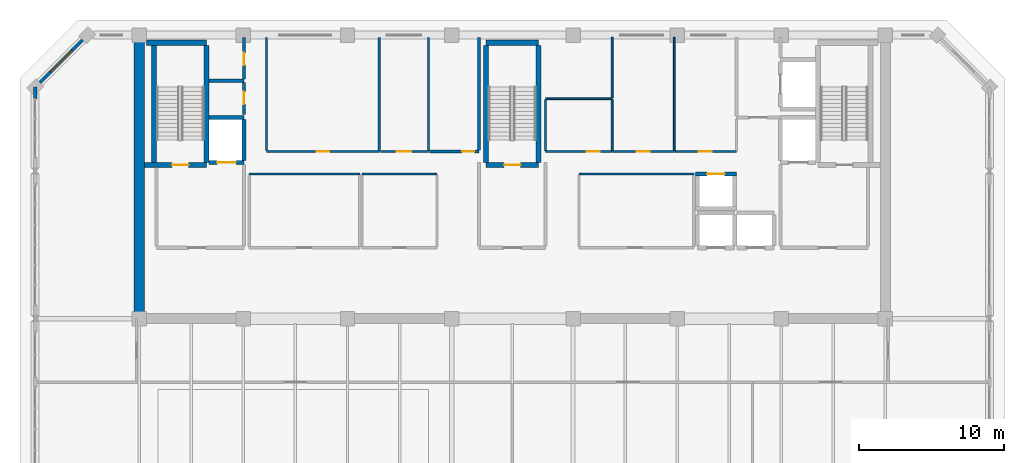
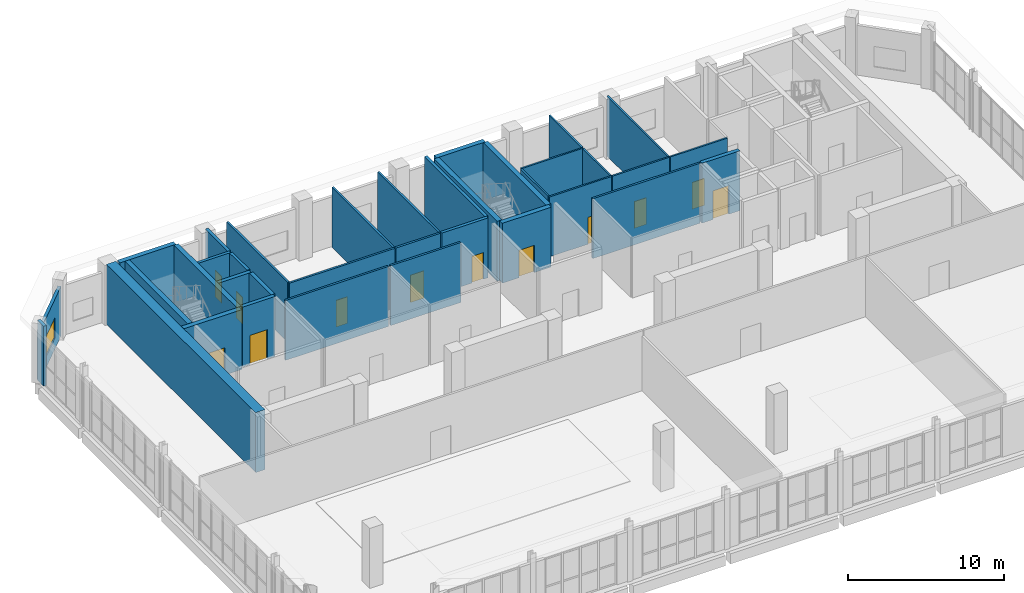
# One storey, part 31 of 36: 36 walls, 12 doors, 1 window, 13 openings.
"""IFC4 building model written with IfcOpenShell, lengths in metres."""

from ifc_helpers import new_model, si_unit, direction, frame, frame_2d, origin, place, context, subcontext, project, spatial, rectangle, extrude, material, layer, layer_set, type_object, element, fill, save


model = new_model("IFC4")

# Units and contexts
model_context = context("Model", 3, precision=1e-05, world=origin(), true_north=direction((0.0, 1.0)))
body_context = subcontext(model_context, "Body", "Model", "MODEL_VIEW")
ifc_project = project(units=[si_unit("LENGTHUNIT", "METRE"), si_unit("AREAUNIT", "SQUARE_METRE"), si_unit("VOLUMEUNIT", "CUBIC_METRE"), si_unit("PLANEANGLEUNIT", "RADIAN"), si_unit("MASSUNIT", "GRAM", prefix="KILO")], contexts=[model_context])

# Site, building, storey
site_placement = place(None, origin())
site = spatial("IfcSite", under=ifc_project, at=site_placement, CompositionType="ELEMENT")
building_placement = place(site_placement, origin())
building = spatial("IfcBuilding", under=site, at=building_placement, Name="Kaelvorn Grand Hotel", CompositionType="ELEMENT")
storey_placement = place(building_placement, frame((0.0, 0.0, 305.699951171875)))
storey = spatial("IfcBuildingStorey", under=building, at=storey_placement, Name="L74", CompositionType="ELEMENT", Elevation=305.699951171875)

# Wall
ifc_material_1 = material(Name="Concrete C50/60", Category="concrete")
ifc_layer_1 = layer(ifc_material_1, 0.699951171875)
ifc_layer_set_1 = layer_set([ifc_layer_1], Name="Concrete C50/60")
wall_type_1 = type_object("IfcWallType", Name="WL-CORE-700-C50", PredefinedType="SHEAR", material=ifc_layer_set_1)
wall_1_placement = place(storey_placement, frame((16.199951171875, 29.39990234375, 0.0), z_axis=(0.0, 0.0, 1.0), x_axis=(0.0, 1.0, 0.0)))
element("IfcWall", 1, at=wall_1_placement, inside=storey, type_object=wall_type_1, Name="L74 Rear-Core West Shear Wall", PredefinedType="SHEAR", context=body_context, shape_type="SweptSolid", body=[
    extrude(rectangle(XDim=19.2001953125, YDim=0.699951171875, at=frame_2d((9.60009765625, 0.0))), origin(), (0.0, 0.0, 1.0), 4.699951171875),
])

# Wall, opening, window
ifc_material_2 = material(Name="Concrete C40/50", Category="concrete")
ifc_layer_2 = layer(ifc_material_2, 0.219970703125)
ifc_layer_set_2 = layer_set([ifc_layer_2], Name="Concrete C40/50")
wall_type_2 = type_object("IfcWallType", Name="WL-EXT-220-C40", PredefinedType="SOLIDWALL", material=ifc_layer_set_2)
wall_2_placement = place(storey_placement, frame((12.60009765625, 49.0, 0.0), z_axis=(0.0, 0.0, 1.0), x_axis=(-0.707106781187, -0.707106781187, 0.0)))
wall_2 = element("IfcWall", 2, at=wall_2_placement, inside=storey, type_object=wall_type_2, Name="L74 Exterior Architectural Concrete Wall 06", PredefinedType="SOLIDWALL", context=body_context, shape_type="SweptSolid", body=[
    extrude(rectangle(XDim=5.09130859375, YDim=0.219970703125, at=frame_2d((2.545654296875, 0.0))), origin(), (0.0, 0.0, 1.0), 3.900146484375),
])
opening_1_placement = place(wall_2_placement, frame((1.49560546875, 0.0, 0.85009765625)))
opening_1 = element("IfcOpeningElement", 3, at=opening_1_placement, cuts=wall_2, Name="Opening W7", PredefinedType="OPENING", context=body_context, shape_type="SweptSolid", body=[
    extrude(rectangle(XDim=2.10009765625, YDim=1.60009765625, at=frame_2d((1.050048828125, 0.800048828125))), frame((0.0, 0.1201171875, 0.0), z_axis=(0.0, -1.0, 0.0), x_axis=(1.0, 0.0, 0.0)), (0.0, 0.0, 1.0), 0.239990234375),
])
ifc_material_3 = material(Name="Laminated Low-E Glass", Category="glass")
window_type = type_object("IfcWindowType", Name="WIN-CHM-2100x1600", PartitioningType="SINGLE_PANEL", PredefinedType="WINDOW", material=ifc_material_3)
window_placement = place(opening_1_placement, origin())
window = element("IfcWindow", 4, at=window_placement, inside=storey, type_object=window_type, Name="L74 Chamfered 45-Degree Corner Window NW", OverallHeight=1.60009765625, OverallWidth=2.10009765625, PartitioningType="SINGLE_PANEL", PredefinedType="WINDOW", context=body_context, shape_type="SweptSolid", body=[
    extrude(rectangle(XDim=2.10009765625, YDim=1.60009765625, at=frame_2d((1.050048828125, 0.800048828125))), frame((0.0, 0.030029296875, 0.0), z_axis=(0.0, -1.0, 0.0), x_axis=(1.0, 0.0, 0.0)), (0.0, 0.0, 1.0), 0.06005859375),
])
fill(opening_1, window)

# Wall
wall_3_placement = place(storey_placement, frame((9.0, 45.39990234375, 0.0), z_axis=(0.0, 0.0, 1.0), x_axis=(0.0, -1.0, 0.0)))
element("IfcWall", 5, at=wall_3_placement, inside=storey, type_object=wall_type_2, Name="L74 Exterior Architectural Concrete Wall 07 Pier 1", PredefinedType="SOLIDWALL", context=body_context, shape_type="SweptSolid", body=[
    extrude(rectangle(XDim=0.804931640625, YDim=0.219970703125, at=frame_2d((0.40234375, 0.0))), origin(), (0.0, 0.0, 1.0), 4.699951171875),
])

# Wall, opening, door
ifc_material_4 = material(Name="Moisture-Resistant Tile & Stud Board")
ifc_layer_3 = layer(ifc_material_4, 0.125)
ifc_layer_set_3 = layer_set([ifc_layer_3], Name="Moisture-Resistant Tile & Stud Board")
wall_type_3 = type_object("IfcWallType", Name="WL-PART-125-WET", PredefinedType="PARTITIONING", material=ifc_layer_set_3)
wall_4_placement = place(storey_placement, frame((44.300048828125, 40.949951171875, 0.0), z_axis=(0.0, 0.0, 1.0), x_axis=(1.0, 0.0, 0.0)))
wall_4 = element("IfcWall", 6, at=wall_4_placement, inside=storey, type_object=wall_type_3, Name="L74 Accessible WC S Partition", PredefinedType="PARTITIONING", context=body_context, shape_type="SweptSolid", body=[
    extrude(rectangle(XDim=4.599853515625, YDim=0.125, at=frame_2d((2.2998046875, 0.0))), origin(), (0.0, 0.0, 1.0), 4.699951171875),
])
opening_2_placement = place(wall_4_placement, frame((2.85009765625, 0.0, 0.0)))
opening_2 = element("IfcOpeningElement", 7, at=opening_2_placement, cuts=wall_4, Name="Opening DI4", PredefinedType="OPENING", context=body_context, shape_type="SweptSolid", body=[
    extrude(rectangle(XDim=0.89990234375, YDim=2.10009765625, at=frame_2d((0.449951171875, 1.050048828125))), frame((0.0, 0.072509765625, 0.0), z_axis=(0.0, -1.0, 0.0), x_axis=(1.0, 0.0, 0.0)), (0.0, 0.0, 1.0), 0.14501953125),
])
ifc_material_5 = material(Name="Timber Veneer Leaf", Category="wood")
door_type_1 = type_object("IfcDoorType", Name="DR-INT-BATH-900x2100", OperationType="NOTDEFINED", PredefinedType="DOOR", material=ifc_material_5)
door_1_placement = place(opening_2_placement, origin())
door_1 = element("IfcDoor", 8, at=door_1_placement, inside=storey, type_object=door_type_1, Name="L74 Accessible WC Door", OperationType="SINGLE_SWING_LEFT", OverallHeight=2.10009765625, OverallWidth=0.89990234375, PredefinedType="DOOR", context=body_context, shape_type="SweptSolid", body=[
    extrude(rectangle(XDim=0.89990234375, YDim=2.10009765625, at=frame_2d((0.449951171875, 1.050048828125))), frame((0.0, 0.02490234375, 0.0), z_axis=(0.0, -1.0, 0.0), x_axis=(1.0, 0.0, 0.0)), (0.0, 0.0, 1.0), 0.050048828125),
])
fill(opening_2, door_1)

# Walls
wall_5_placement = place(storey_placement, frame((44.300048828125, 44.60009765625, 0.0), z_axis=(0.0, 0.0, 1.0), x_axis=(1.0, 0.0, 0.0)))
element("IfcWall", 9, at=wall_5_placement, inside=storey, type_object=wall_type_3, Name="L74 Accessible WC N Partition", PredefinedType="PARTITIONING", context=body_context, shape_type="SweptSolid", body=[
    extrude(rectangle(XDim=4.599853515625, YDim=0.125, at=frame_2d((2.2998046875, 0.0))), origin(), (0.0, 0.0, 1.0), 4.699951171875),
])
for number, where, z_axis, x_axis, name in (
    (10, (44.300048828125, 41.017578125, 0.0), (0.0, 0.0, 1.0), (0.0, 1.0, 0.0), "L74 Accessible WC W Partition"),
    (11, (48.89990234375, 41.017578125, 0.0), (0.0, 0.0, 1.0), (0.0, 1.0, 0.0), "L74 Accessible WC E Partition"),
):
    element("IfcWall", number, at=place(storey_placement, frame(where, z_axis=z_axis, x_axis=x_axis)), inside=storey, type_object=wall_type_3, Name=name, PredefinedType="PARTITIONING", context=body_context, shape_type="SweptSolid", body=[
        extrude(rectangle(XDim=3.514892578125, YDim=0.125, at=frame_2d((1.75732421875, 0.0))), origin(), (0.0, 0.0, 1.0), 4.699951171875),
    ])

# Wall, opening, door
wall_6_placement = place(storey_placement, frame((48.967529296875, 40.949951171875, 0.0), z_axis=(0.0, 0.0, 1.0), x_axis=(1.0, 0.0, 0.0)))
wall_6 = element("IfcWall", 12, at=wall_6_placement, inside=storey, type_object=wall_type_3, Name="L74 Male Public Toilets S Partition", PredefinedType="PARTITIONING", context=body_context, shape_type="SweptSolid", body=[
    extrude(rectangle(XDim=4.232421875, YDim=0.125, at=frame_2d((2.1162109375, 0.0))), origin(), (0.0, 0.0, 1.0), 4.699951171875),
])
opening_3_placement = place(wall_6_placement, frame((1.632568359375, 0.0, 0.0)))
opening_3 = element("IfcOpeningElement", 13, at=opening_3_placement, cuts=wall_6, Name="Opening DI4", PredefinedType="OPENING", context=body_context, shape_type="SweptSolid", body=[
    extrude(rectangle(XDim=0.89990234375, YDim=2.10009765625, at=frame_2d((0.449951171875, 1.050048828125))), frame((0.0, 0.072509765625, 0.0), z_axis=(0.0, -1.0, 0.0), x_axis=(1.0, 0.0, 0.0)), (0.0, 0.0, 1.0), 0.14501953125),
])
door_2_placement = place(opening_3_placement, origin())
door_2 = element("IfcDoor", 14, at=door_2_placement, inside=storey, type_object=door_type_1, Name="L74 Male Public Toilets Door", OperationType="SINGLE_SWING_RIGHT", OverallHeight=2.10009765625, OverallWidth=0.89990234375, PredefinedType="DOOR", context=body_context, shape_type="SweptSolid", body=[
    extrude(rectangle(XDim=0.89990234375, YDim=2.10009765625, at=frame_2d((0.449951171875, 1.050048828125))), frame((0.0, 0.02490234375, 0.0), z_axis=(0.0, -1.0, 0.0), x_axis=(1.0, 0.0, 0.0)), (0.0, 0.0, 1.0), 0.050048828125),
])
fill(opening_3, door_2)

# Walls
wall_7_placement = place(storey_placement, frame((48.89990234375, 44.66748046875, 0.0), z_axis=(0.0, 0.0, 1.0), x_axis=(0.0, 1.0, 0.0)))
element("IfcWall", 15, at=wall_7_placement, inside=storey, type_object=wall_type_3, Name="L74 Male Public Toilets W Partition", PredefinedType="PARTITIONING", context=body_context, shape_type="SweptSolid", body=[
    extrude(rectangle(XDim=4.1826171875, YDim=0.125, at=frame_2d((2.09130859375, 0.0))), origin(), (0.0, 0.0, 1.0), 4.699951171875),
])
wall_8_placement = place(storey_placement, frame((53.199951171875, 41.017578125, 0.0), z_axis=(0.0, 0.0, 1.0), x_axis=(0.0, 1.0, 0.0)))
element("IfcWall", 16, at=wall_8_placement, inside=storey, type_object=wall_type_3, Name="L74 Male Public Toilets E Partition", PredefinedType="PARTITIONING", context=body_context, shape_type="SweptSolid", body=[
    extrude(rectangle(XDim=7.83251953125, YDim=0.125, at=frame_2d((3.916259765625, 0.0))), origin(), (0.0, 0.0, 1.0), 4.699951171875),
])

# Wall, opening, door
wall_9_placement = place(storey_placement, frame((53.267578125, 40.949951171875, 0.0), z_axis=(0.0, 0.0, 1.0), x_axis=(1.0, 0.0, 0.0)))
wall_9 = element("IfcWall", 17, at=wall_9_placement, inside=storey, type_object=wall_type_3, Name="L74 Female Public Toilets S Partition", PredefinedType="PARTITIONING", context=body_context, shape_type="SweptSolid", body=[
    extrude(rectangle(XDim=4.232421875, YDim=0.125, at=frame_2d((2.1162109375, 0.0))), origin(), (0.0, 0.0, 1.0), 4.699951171875),
])
opening_4_placement = place(wall_9_placement, frame((1.632568359375, 0.0, 0.0)))
opening_4 = element("IfcOpeningElement", 18, at=opening_4_placement, cuts=wall_9, Name="Opening DI4", PredefinedType="OPENING", context=body_context, shape_type="SweptSolid", body=[
    extrude(rectangle(XDim=0.89990234375, YDim=2.10009765625, at=frame_2d((0.449951171875, 1.050048828125))), frame((0.0, 0.072509765625, 0.0), z_axis=(0.0, -1.0, 0.0), x_axis=(1.0, 0.0, 0.0)), (0.0, 0.0, 1.0), 0.14501953125),
])
door_3_placement = place(opening_4_placement, origin())
door_3 = element("IfcDoor", 19, at=door_3_placement, inside=storey, type_object=door_type_1, Name="L74 Female Public Toilets Door", OperationType="SINGLE_SWING_LEFT", OverallHeight=2.10009765625, OverallWidth=0.89990234375, PredefinedType="DOOR", context=body_context, shape_type="SweptSolid", body=[
    extrude(rectangle(XDim=0.89990234375, YDim=2.10009765625, at=frame_2d((0.449951171875, 1.050048828125))), frame((0.0, 0.02490234375, 0.0), z_axis=(0.0, -1.0, 0.0), x_axis=(1.0, 0.0, 0.0)), (0.0, 0.0, 1.0), 0.050048828125),
])
fill(opening_4, door_3)

# Walls
ifc_material_6 = material(Name="Acoustic Gypsum & Stud Partition")
ifc_layer_4 = layer(ifc_material_6, 0.14990234375)
ifc_layer_set_4 = layer_set([ifc_layer_4], Name="Acoustic Gypsum & Stud Partition")
wall_type_4 = type_object("IfcWallType", Name="WL-PART-150-EI60", PredefinedType="PARTITIONING", material=ifc_layer_set_4)
wall_10_placement = place(storey_placement, frame((31.60009765625, 39.39990234375, 0.0), z_axis=(0.0, 0.0, 1.0), x_axis=(1.0, 0.0, 0.0)))
element("IfcWall", 20, at=wall_10_placement, inside=storey, type_object=wall_type_4, Name="L74 Core Telecoms & BMS Server Room N Partition", PredefinedType="PARTITIONING", context=body_context, shape_type="SweptSolid", body=[
    extrude(rectangle(XDim=5.199951171875, YDim=0.14990234375, at=frame_2d((2.60009765625, 0.0))), origin(), (0.0, 0.0, 1.0), 4.699951171875),
])
wall_11_placement = place(storey_placement, frame((23.800048828125, 39.39990234375, 0.0), z_axis=(0.0, 0.0, 1.0), x_axis=(1.0, 0.0, 0.0)))
element("IfcWall", 21, at=wall_11_placement, inside=storey, type_object=wall_type_4, Name="L74 Crown Sommelier & Tasting Salon N Partition", PredefinedType="PARTITIONING", context=body_context, shape_type="SweptSolid", body=[
    extrude(rectangle(XDim=7.64990234375, YDim=0.14990234375, at=frame_2d((3.824951171875, 0.0))), origin(), (0.0, 0.0, 1.0), 4.699951171875),
])
wall_12_placement = place(storey_placement, frame((46.60009765625, 39.39990234375, 0.0), z_axis=(0.0, 0.0, 1.0), x_axis=(1.0, 0.0, 0.0)))
element("IfcWall", 22, at=wall_12_placement, inside=storey, type_object=wall_type_4, Name="L74 Sky Concierge & Butler Pantry Lounge N Partition", PredefinedType="PARTITIONING", context=body_context, shape_type="SweptSolid", body=[
    extrude(rectangle(XDim=7.949951171875, YDim=0.14990234375, at=frame_2d((3.97509765625, 0.0))), origin(), (0.0, 0.0, 1.0), 4.699951171875),
])

# Wall, opening, door
wall_13_placement = place(storey_placement, frame((25.0, 40.949951171875, 0.0), z_axis=(0.0, 0.0, 1.0), x_axis=(1.0, 0.0, 0.0)))
wall_13 = element("IfcWall", 23, at=wall_13_placement, inside=storey, type_object=wall_type_4, Name="L74 Housekeeping & Cleaner Store S Partition", PredefinedType="PARTITIONING", context=body_context, shape_type="SweptSolid", body=[
    extrude(rectangle(XDim=7.800048828125, YDim=0.14990234375, at=frame_2d((3.89990234375, 0.0))), origin(), (0.0, 0.0, 1.0), 4.699951171875),
])
opening_5_placement = place(wall_13_placement, frame((3.47509765625, 0.0, 0.0)))
opening_5 = element("IfcOpeningElement", 24, at=opening_5_placement, cuts=wall_13, Name="Opening DI7", PredefinedType="OPENING", context=body_context, shape_type="SweptSolid", body=[
    extrude(rectangle(XDim=0.85009765625, YDim=2.10009765625, at=frame_2d((0.425048828125, 1.050048828125))), frame((0.0, 0.0849609375, 0.0), z_axis=(0.0, -1.0, 0.0), x_axis=(1.0, 0.0, 0.0)), (0.0, 0.0, 1.0), 0.169921875),
])
ifc_material_7 = material(Name="Powder-Coated Steel Leaf", Category="steel")
door_type_2 = type_object("IfcDoorType", Name="DR-INT-RISER-850x2100", OperationType="NOTDEFINED", PredefinedType="DOOR", material=ifc_material_7)
door_4_placement = place(opening_5_placement, origin())
door_4 = element("IfcDoor", 25, at=door_4_placement, inside=storey, type_object=door_type_2, Name="L74 Housekeeping & Cleaner Store Door", OperationType="SINGLE_SWING_RIGHT", OverallHeight=2.10009765625, OverallWidth=0.85009765625, PredefinedType="DOOR", context=body_context, shape_type="SweptSolid", body=[
    extrude(rectangle(XDim=0.85009765625, YDim=2.10009765625, at=frame_2d((0.425048828125, 1.050048828125))), frame((0.0, 0.02490234375, 0.0), z_axis=(0.0, -1.0, 0.0), x_axis=(1.0, 0.0, 0.0)), (0.0, 0.0, 1.0), 0.050048828125),
])
fill(opening_5, door_4)

# Walls
for number, where, z_axis, x_axis, name in (
    (26, (25.0, 41.030029296875, 0.0), (0.0, 0.0, 1.0), (0.0, 1.0, 0.0), "L74 Housekeeping & Cleaner Store W Partition"),
    (27, (32.800048828125, 41.030029296875, 0.0), (0.0, 0.0, 1.0), (0.0, 1.0, 0.0), "L74 Housekeeping & Cleaner Store E Partition"),
):
    element("IfcWall", number, at=place(storey_placement, frame(where, z_axis=z_axis, x_axis=x_axis)), inside=storey, type_object=wall_type_4, Name=name, PredefinedType="PARTITIONING", context=body_context, shape_type="SweptSolid", body=[
        extrude(rectangle(XDim=7.820068359375, YDim=0.14990234375, at=frame_2d((3.91015625, 0.0))), origin(), (0.0, 0.0, 1.0), 4.699951171875),
    ])

# Wall, opening, door
wall_14_placement = place(storey_placement, frame((32.8798828125, 40.949951171875, 0.0), z_axis=(0.0, 0.0, 1.0), x_axis=(1.0, 0.0, 0.0)))
wall_14 = element("IfcWall", 28, at=wall_14_placement, inside=storey, type_object=wall_type_4, Name="L74 Floor Butler Tea Point S Partition", PredefinedType="PARTITIONING", context=body_context, shape_type="SweptSolid", body=[
    extrude(rectangle(XDim=3.320068359375, YDim=0.14990234375, at=frame_2d((1.66015625, 0.0))), origin(), (0.0, 0.0, 1.0), 4.699951171875),
])
opening_6_placement = place(wall_14_placement, frame((1.1201171875, 0.0, 0.0)))
opening_6 = element("IfcOpeningElement", 29, at=opening_6_placement, cuts=wall_14, Name="Opening DI3", PredefinedType="OPENING", context=body_context, shape_type="SweptSolid", body=[
    extrude(rectangle(XDim=1.0, YDim=2.14990234375, at=frame_2d((0.5, 1.074951171875))), frame((0.0, 0.0849609375, 0.0), z_axis=(0.0, -1.0, 0.0), x_axis=(1.0, 0.0, 0.0)), (0.0, 0.0, 1.0), 0.169921875),
])
ifc_material_8 = material(Name="Timber Veneer Fire Leaf", Category="wood")
door_type_3 = type_object("IfcDoorType", Name="DR-INT-GUEST-1000x2150", OperationType="NOTDEFINED", PredefinedType="DOOR", material=ifc_material_8)
door_5_placement = place(opening_6_placement, origin())
door_5 = element("IfcDoor", 30, at=door_5_placement, inside=storey, type_object=door_type_3, Name="L74 Floor Butler Tea Point Door", OperationType="SINGLE_SWING_LEFT", OverallHeight=2.14990234375, OverallWidth=1.0, PredefinedType="DOOR", context=body_context, shape_type="SweptSolid", body=[
    extrude(rectangle(XDim=1.0, YDim=2.14990234375, at=frame_2d((0.5, 1.074951171875))), frame((0.0, 0.02490234375, 0.0), z_axis=(0.0, -1.0, 0.0), x_axis=(1.0, 0.0, 0.0)), (0.0, 0.0, 1.0), 0.050048828125),
])
fill(opening_6, door_5)

# Walls
wall_15_placement = place(storey_placement, frame((36.199951171875, 41.030029296875, 0.0), z_axis=(0.0, 0.0, 1.0), x_axis=(0.0, 1.0, 0.0)))
element("IfcWall", 31, at=wall_15_placement, inside=storey, type_object=wall_type_4, Name="L74 Floor Butler Tea Point E Partition", PredefinedType="PARTITIONING", context=body_context, shape_type="SweptSolid", body=[
    extrude(rectangle(XDim=7.820068359375, YDim=0.14990234375, at=frame_2d((3.91015625, 0.0))), origin(), (0.0, 0.0, 1.0), 4.699951171875),
])
ifc_layer_5 = layer(ifc_material_2, 0.219970703125)
ifc_layer_set_5 = layer_set([ifc_layer_5], Name="Concrete C40/50")
wall_type_5 = type_object("IfcWallType", Name="WL-PART-220-EI120", PredefinedType="PARTITIONING", material=ifc_layer_set_5)
wall_16_placement = place(storey_placement, frame((21.034912109375, 45.85009765625, 0.0), z_axis=(0.0, 0.0, 1.0), x_axis=(1.0, 0.0, 0.0)))
element("IfcWall", 32, at=wall_16_placement, inside=storey, type_object=wall_type_5, Name="L74 Wet Fire & Plumbing Riser Shaft N Partition", PredefinedType="PARTITIONING", context=body_context, shape_type="SweptSolid", body=[
    extrude(rectangle(XDim=2.4150390625, YDim=0.219970703125, at=frame_2d((1.20751953125, 0.0))), origin(), (0.0, 0.0, 1.0), 4.699951171875),
])

# Wall, opening, door
wall_17_placement = place(storey_placement, frame((23.449951171875, 43.5, 0.0), z_axis=(0.0, 0.0, 1.0), x_axis=(0.0, 1.0, 0.0)))
wall_17 = element("IfcWall", 33, at=wall_17_placement, inside=storey, type_object=wall_type_5, Name="L74 Wet Fire & Plumbing Riser Shaft E Partition", PredefinedType="PARTITIONING", context=body_context, shape_type="SweptSolid", body=[
    extrude(rectangle(XDim=2.235107421875, YDim=0.219970703125, at=frame_2d((1.11767578125, 0.0))), origin(), (0.0, 0.0, 1.0), 4.699951171875),
])
opening_7_placement = place(wall_17_placement, frame((0.72509765625, 0.0, 0.0)))
opening_7 = element("IfcOpeningElement", 34, at=opening_7_placement, cuts=wall_17, Name="Opening DI7", PredefinedType="OPENING", context=body_context, shape_type="SweptSolid", body=[
    extrude(rectangle(XDim=0.85009765625, YDim=2.10009765625, at=frame_2d((0.425048828125, 1.050048828125))), frame((0.0, 0.1201171875, 0.0), z_axis=(0.0, -1.0, 0.0), x_axis=(1.0, 0.0, 0.0)), (0.0, 0.0, 1.0), 0.239990234375),
])
door_6_placement = place(opening_7_placement, origin())
door_6 = element("IfcDoor", 35, at=door_6_placement, inside=storey, type_object=door_type_2, Name="L74 Wet Fire & Plumbing Riser Shaft Door", OperationType="SINGLE_SWING_LEFT", OverallHeight=2.10009765625, OverallWidth=0.85009765625, PredefinedType="DOOR", context=body_context, shape_type="SweptSolid", body=[
    extrude(rectangle(XDim=0.85009765625, YDim=2.10009765625, at=frame_2d((0.425048828125, 1.050048828125))), frame((0.0, 0.02490234375, 0.0), z_axis=(0.0, -1.0, 0.0), x_axis=(1.0, 0.0, 0.0)), (0.0, 0.0, 1.0), 0.050048828125),
])
fill(opening_7, door_6)

wall_18_placement = place(storey_placement, frame((23.449951171875, 45.965087890625, 0.0), z_axis=(0.0, 0.0, 1.0), x_axis=(0.0, 1.0, 0.0)))
wall_18 = element("IfcWall", 36, at=wall_18_placement, inside=storey, type_object=wall_type_5, Name="L74 HV Electrical & Smoke Riser E Partition", PredefinedType="PARTITIONING", context=body_context, shape_type="SweptSolid", body=[
    extrude(rectangle(XDim=2.885009765625, YDim=0.219970703125, at=frame_2d((1.4423828125, 0.0))), origin(), (0.0, 0.0, 1.0), 4.699951171875),
])
opening_8_placement = place(wall_18_placement, frame((0.9599609375, 0.0, 0.0)))
opening_8 = element("IfcOpeningElement", 37, at=opening_8_placement, cuts=wall_18, Name="Opening DI7", PredefinedType="OPENING", context=body_context, shape_type="SweptSolid", body=[
    extrude(rectangle(XDim=0.85009765625, YDim=2.10009765625, at=frame_2d((0.425048828125, 1.050048828125))), frame((0.0, 0.1201171875, 0.0), z_axis=(0.0, -1.0, 0.0), x_axis=(1.0, 0.0, 0.0)), (0.0, 0.0, 1.0), 0.239990234375),
])
door_7_placement = place(opening_8_placement, origin())
door_7 = element("IfcDoor", 38, at=door_7_placement, inside=storey, type_object=door_type_2, Name="L74 HV Electrical & Smoke Riser Door", OperationType="SINGLE_SWING_RIGHT", OverallHeight=2.10009765625, OverallWidth=0.85009765625, PredefinedType="DOOR", context=body_context, shape_type="SweptSolid", body=[
    extrude(rectangle(XDim=0.85009765625, YDim=2.10009765625, at=frame_2d((0.425048828125, 1.050048828125))), frame((0.0, 0.02490234375, 0.0), z_axis=(0.0, -1.0, 0.0), x_axis=(1.0, 0.0, 0.0)), (0.0, 0.0, 1.0), 0.050048828125),
])
fill(opening_8, door_7)

wall_19_placement = place(storey_placement, frame((36.280029296875, 40.949951171875, 0.0), z_axis=(0.0, 0.0, 1.0), x_axis=(1.0, 0.0, 0.0)))
wall_19 = element("IfcWall", 39, at=wall_19_placement, inside=storey, type_object=wall_type_5, Name="L74 LV Electrical & Metering Room S Partition", PredefinedType="PARTITIONING", context=body_context, shape_type="SweptSolid", body=[
    extrude(rectangle(XDim=3.419921875, YDim=0.219970703125, at=frame_2d((1.7099609375, 0.0))), origin(), (0.0, 0.0, 1.0), 4.699951171875),
])
opening_9_placement = place(wall_19_placement, frame((2.2451171875, 0.0, 0.0)))
opening_9 = element("IfcOpeningElement", 40, at=opening_9_placement, cuts=wall_19, Name="Opening DI7", PredefinedType="OPENING", context=body_context, shape_type="SweptSolid", body=[
    extrude(rectangle(XDim=0.85009765625, YDim=2.10009765625, at=frame_2d((0.425048828125, 1.050048828125))), frame((0.0, 0.1201171875, 0.0), z_axis=(0.0, -1.0, 0.0), x_axis=(1.0, 0.0, 0.0)), (0.0, 0.0, 1.0), 0.239990234375),
])
door_8_placement = place(opening_9_placement, origin())
door_8 = element("IfcDoor", 41, at=door_8_placement, inside=storey, type_object=door_type_2, Name="L74 LV Electrical & Metering Room Door", OperationType="SINGLE_SWING_RIGHT", OverallHeight=2.10009765625, OverallWidth=0.85009765625, PredefinedType="DOOR", context=body_context, shape_type="SweptSolid", body=[
    extrude(rectangle(XDim=0.85009765625, YDim=2.10009765625, at=frame_2d((0.425048828125, 1.050048828125))), frame((0.0, 0.02490234375, 0.0), z_axis=(0.0, -1.0, 0.0), x_axis=(1.0, 0.0, 0.0)), (0.0, 0.0, 1.0), 0.050048828125),
])
fill(opening_9, door_8)

# Wall
wall_20_placement = place(storey_placement, frame((39.699951171875, 41.06494140625, 0.0), z_axis=(0.0, 0.0, 1.0), x_axis=(0.0, 1.0, 0.0)))
element("IfcWall", 42, at=wall_20_placement, inside=storey, type_object=wall_type_5, Name="L74 LV Electrical & Metering Room E Partition", PredefinedType="PARTITIONING", context=body_context, shape_type="SweptSolid", body=[
    extrude(rectangle(XDim=7.78515625, YDim=0.219970703125, at=frame_2d((3.892578125, 0.0))), origin(), (0.0, 0.0, 1.0), 4.699951171875),
])

# Wall, opening, door
ifc_layer_6 = layer(ifc_material_1, 0.280029296875)
ifc_layer_set_6 = layer_set([ifc_layer_6], Name="Concrete C50/60")
wall_type_6 = type_object("IfcWallType", Name="WL-SHAFT-280-C50", PredefinedType="SHEAR", material=ifc_layer_set_6)
wall_21_placement = place(storey_placement, frame((54.659912109375, 39.39990234375, 0.0), z_axis=(0.0, 0.0, 1.0), x_axis=(1.0, 0.0, 0.0)))
wall_21 = element("IfcWall", 43, at=wall_21_placement, inside=storey, type_object=wall_type_6, Name="L74 Lift OL-3 Shaft North Wall", PredefinedType="SHEAR", context=body_context, shape_type="SweptSolid", body=[
    extrude(rectangle(XDim=2.830078125, YDim=0.280029296875, at=frame_2d((1.4150390625, 0.0))), origin(), (0.0, 0.0, 1.0), 4.699951171875),
])
opening_10_placement = place(wall_21_placement, frame((0.81494140625, 0.0, 0.0)))
opening_10 = element("IfcOpeningElement", 44, at=opening_10_placement, cuts=wall_21, Name="Opening LD-OL-3", PredefinedType="OPENING", context=body_context, shape_type="SweptSolid", body=[
    extrude(rectangle(XDim=1.199951171875, YDim=2.25, at=frame_2d((0.60009765625, 1.125))), frame((0.0, 0.14990234375, 0.0), z_axis=(0.0, -1.0, 0.0), x_axis=(1.0, 0.0, 0.0)), (0.0, 0.0, 1.0), 0.300048828125),
])
ifc_material_9 = material(Name="Stainless Steel", Category="steel")
door_type_4 = type_object("IfcDoorType", Name="DR-LIFT-SHUT-1200x2250", OperationType="DOUBLE_DOOR_SLIDING", PredefinedType="DOOR", material=ifc_material_9)
door_9_placement = place(opening_10_placement, origin())
door_9 = element("IfcDoor", 45, at=door_9_placement, inside=storey, type_object=door_type_4, Name="L74 Lift OL-3 Sliding Landing Door LD-OL-3", OperationType="DOUBLE_DOOR_SLIDING", OverallHeight=2.25, OverallWidth=1.199951171875, PredefinedType="DOOR", context=body_context, shape_type="SweptSolid", body=[
    extrude(rectangle(XDim=1.199951171875, YDim=2.25, at=frame_2d((0.60009765625, 1.125))), frame((0.0, 0.02490234375, 0.0), z_axis=(0.0, -1.0, 0.0), x_axis=(1.0, 0.0, 0.0)), (0.0, 0.0, 1.0), 0.050048828125),
])
fill(opening_10, door_9)

wall_22_placement = place(storey_placement, frame((21.034912109375, 40.199951171875, 0.0), z_axis=(0.0, 0.0, 1.0), x_axis=(1.0, 0.0, 0.0)))
wall_22 = element("IfcWall", 46, at=wall_22_placement, inside=storey, type_object=wall_type_6, Name="L74 Lift FFL1 Shaft South Wall", PredefinedType="SHEAR", context=body_context, shape_type="SweptSolid", body=[
    extrude(rectangle(XDim=2.4150390625, YDim=0.280029296875, at=frame_2d((1.20751953125, 0.0))), origin(), (0.0, 0.0, 1.0), 4.699951171875),
])
opening_11_placement = place(wall_22_placement, frame((0.5400390625, 0.0, 0.0)))
opening_11 = element("IfcOpeningElement", 47, at=opening_11_placement, cuts=wall_22, Name="Opening LD-FFL1", PredefinedType="OPENING", context=body_context, shape_type="SweptSolid", body=[
    extrude(rectangle(XDim=1.300048828125, YDim=2.300048828125, at=frame_2d((0.64990234375, 1.14990234375))), frame((0.0, 0.14990234375, 0.0), z_axis=(0.0, -1.0, 0.0), x_axis=(1.0, 0.0, 0.0)), (0.0, 0.0, 1.0), 0.300048828125),
])
door_type_5 = type_object("IfcDoorType", Name="DR-LIFT-SERV-1300x2300", OperationType="DOUBLE_DOOR_SLIDING", PredefinedType="DOOR", material=ifc_material_9)
door_10_placement = place(opening_11_placement, origin())
door_10 = element("IfcDoor", 48, at=door_10_placement, inside=storey, type_object=door_type_5, Name="L74 Lift FFL1 Sliding Landing Door LD-FFL1", OperationType="DOUBLE_DOOR_SLIDING", OverallHeight=2.300048828125, OverallWidth=1.300048828125, PredefinedType="DOOR", context=body_context, shape_type="SweptSolid", body=[
    extrude(rectangle(XDim=1.300048828125, YDim=2.300048828125, at=frame_2d((0.64990234375, 1.14990234375))), frame((0.0, 0.02490234375, 0.0), z_axis=(0.0, -1.0, 0.0), x_axis=(1.0, 0.0, 0.0)), (0.0, 0.0, 1.0), 0.050048828125),
])
fill(opening_11, door_10)

# Walls
wall_23_placement = place(storey_placement, frame((21.034912109375, 43.300048828125, 0.0), z_axis=(0.0, 0.0, 1.0), x_axis=(1.0, 0.0, 0.0)))
element("IfcWall", 49, at=wall_23_placement, inside=storey, type_object=wall_type_6, Name="L74 Lift FFL1 Shaft North Wall", PredefinedType="SHEAR", context=body_context, shape_type="SweptSolid", body=[
    extrude(rectangle(XDim=2.4150390625, YDim=0.280029296875, at=frame_2d((1.20751953125, 0.0))), origin(), (0.0, 0.0, 1.0), 4.699951171875),
])
wall_24_placement = place(storey_placement, frame((23.449951171875, 40.344970703125, 0.0), z_axis=(0.0, 0.0, 1.0), x_axis=(0.0, 1.0, 0.0)))
element("IfcWall", 50, at=wall_24_placement, inside=storey, type_object=wall_type_6, Name="L74 Lift FFL1 Shaft East Wall", PredefinedType="SHEAR", context=body_context, shape_type="SweptSolid", body=[
    extrude(rectangle(XDim=2.81005859375, YDim=0.280029296875, at=frame_2d((1.405029296875, 0.0))), origin(), (0.0, 0.0, 1.0), 4.699951171875),
])

# Wall, opening, door
ifc_material_10 = material(Name="Concrete C60/75", Category="concrete")
ifc_layer_7 = layer(ifc_material_10, 0.35009765625)
ifc_layer_set_7 = layer_set([ifc_layer_7], Name="Concrete C60/75")
wall_type_7 = type_object("IfcWallType", Name="WL-SHAFT-350-C60", PredefinedType="SHEAR", material=ifc_layer_set_7)
wall_25_placement = place(storey_placement, frame((16.554931640625, 40.02490234375, 0.0), z_axis=(0.0, 0.0, 1.0), x_axis=(1.0, 0.0, 0.0)))
wall_25 = element("IfcWall", 51, at=wall_25_placement, inside=storey, type_object=wall_type_7, Name="L74 ST1 Stair Shaft South Wall", PredefinedType="SHEAR", context=body_context, shape_type="SweptSolid", body=[
    extrude(rectangle(XDim=4.300048828125, YDim=0.35009765625, at=frame_2d((2.14990234375, 0.0))), origin(), (0.0, 0.0, 1.0), 4.699951171875),
])
opening_12_placement = place(wall_25_placement, frame((1.909912109375, 0.0, 0.0)))
opening_12 = element("IfcOpeningElement", 52, at=opening_12_placement, cuts=wall_25, Name="Opening DI1", PredefinedType="OPENING", context=body_context, shape_type="SweptSolid", body=[
    extrude(rectangle(XDim=1.14990234375, YDim=2.14990234375, at=frame_2d((0.574951171875, 1.074951171875))), frame((0.0, 0.18505859375, 0.0), z_axis=(0.0, -1.0, 0.0), x_axis=(1.0, 0.0, 0.0)), (0.0, 0.0, 1.0), 0.3701171875),
])
door_type_6 = type_object("IfcDoorType", Name="DR-INT-STAIR-1150x2150", OperationType="NOTDEFINED", PredefinedType="DOOR", material=ifc_material_8)
door_11_placement = place(opening_12_placement, origin())
door_11 = element("IfcDoor", 53, at=door_11_placement, inside=storey, type_object=door_type_6, Name="L74 ST1 Exit Stair Fire Door", OperationType="SINGLE_SWING_RIGHT", OverallHeight=2.14990234375, OverallWidth=1.14990234375, PredefinedType="DOOR", context=body_context, shape_type="SweptSolid", body=[
    extrude(rectangle(XDim=1.14990234375, YDim=2.14990234375, at=frame_2d((0.574951171875, 1.074951171875))), frame((0.0, 0.02490234375, 0.0), z_axis=(0.0, -1.0, 0.0), x_axis=(1.0, 0.0, 0.0)), (0.0, 0.0, 1.0), 0.050048828125),
])
fill(opening_12, door_11)

# Walls
wall_26_placement = place(storey_placement, frame((16.705078125, 48.47509765625, 0.0), z_axis=(0.0, 0.0, 1.0), x_axis=(1.0, 0.0, 0.0)))
element("IfcWall", 54, at=wall_26_placement, inside=storey, type_object=wall_type_7, Name="L74 ST1 Stair Shaft North Wall", PredefinedType="SHEAR", context=body_context, shape_type="SweptSolid", body=[
    extrude(rectangle(XDim=4.14990234375, YDim=0.35009765625, at=frame_2d((2.074951171875, 0.0))), origin(), (0.0, 0.0, 1.0), 4.699951171875),
])
for number, where, z_axis, x_axis, name in (
    (55, (17.22509765625, 40.205078125, 0.0), (0.0, 0.0, 1.0), (0.0, 1.0, 0.0), "L74 ST1 Stair Shaft West Wall"),
    (56, (20.85498046875, 40.205078125, 0.0), (0.0, 0.0, 1.0), (0.0, 1.0, 0.0), "L74 ST1 Stair Shaft East Wall"),
):
    element("IfcWall", number, at=place(storey_placement, frame(where, z_axis=z_axis, x_axis=x_axis)), inside=storey, type_object=wall_type_7, Name=name, PredefinedType="SHEAR", context=body_context, shape_type="SweptSolid", body=[
        extrude(rectangle(XDim=8.08984375, YDim=0.35009765625, at=frame_2d((4.044921875, 0.0))), origin(), (0.0, 0.0, 1.0), 4.699951171875),
    ])

# Wall, opening, door
wall_27_placement = place(storey_placement, frame((40.18505859375, 40.02490234375, 0.0), z_axis=(0.0, 0.0, 1.0), x_axis=(1.0, 0.0, 0.0)))
wall_27 = element("IfcWall", 57, at=wall_27_placement, inside=storey, type_object=wall_type_7, Name="L74 ST2 Stair Shaft South Wall", PredefinedType="SHEAR", context=body_context, shape_type="SweptSolid", body=[
    extrude(rectangle(XDim=3.6298828125, YDim=0.35009765625, at=frame_2d((1.81494140625, 0.0))), origin(), (0.0, 0.0, 1.0), 4.699951171875),
])
opening_13_placement = place(wall_27_placement, frame((1.239990234375, 0.0, 0.0)))
opening_13 = element("IfcOpeningElement", 58, at=opening_13_placement, cuts=wall_27, Name="Opening DI1", PredefinedType="OPENING", context=body_context, shape_type="SweptSolid", body=[
    extrude(rectangle(XDim=1.14990234375, YDim=2.14990234375, at=frame_2d((0.574951171875, 1.074951171875))), frame((0.0, 0.18505859375, 0.0), z_axis=(0.0, -1.0, 0.0), x_axis=(1.0, 0.0, 0.0)), (0.0, 0.0, 1.0), 0.3701171875),
])
door_12_placement = place(opening_13_placement, origin())
door_12 = element("IfcDoor", 59, at=door_12_placement, inside=storey, type_object=door_type_6, Name="L74 ST2 Exit Stair Fire Door", OperationType="SINGLE_SWING_LEFT", OverallHeight=2.14990234375, OverallWidth=1.14990234375, PredefinedType="DOOR", context=body_context, shape_type="SweptSolid", body=[
    extrude(rectangle(XDim=1.14990234375, YDim=2.14990234375, at=frame_2d((0.574951171875, 1.074951171875))), frame((0.0, 0.02490234375, 0.0), z_axis=(0.0, -1.0, 0.0), x_axis=(1.0, 0.0, 0.0)), (0.0, 0.0, 1.0), 0.050048828125),
])
fill(opening_13, door_12)

# Walls
wall_28_placement = place(storey_placement, frame((40.18505859375, 48.47509765625, 0.0), z_axis=(0.0, 0.0, 1.0), x_axis=(1.0, 0.0, 0.0)))
element("IfcWall", 60, at=wall_28_placement, inside=storey, type_object=wall_type_7, Name="L74 ST2 Stair Shaft North Wall", PredefinedType="SHEAR", context=body_context, shape_type="SweptSolid", body=[
    extrude(rectangle(XDim=3.6298828125, YDim=0.35009765625, at=frame_2d((1.81494140625, 0.0))), origin(), (0.0, 0.0, 1.0), 4.699951171875),
])
for number, where, z_axis, x_axis, name in (
    (61, (40.18505859375, 40.205078125, 0.0), (0.0, 0.0, 1.0), (0.0, 1.0, 0.0), "L74 ST2 Stair Shaft West Wall"),
    (62, (43.81494140625, 40.205078125, 0.0), (0.0, 0.0, 1.0), (0.0, 1.0, 0.0), "L74 ST2 Stair Shaft East Wall"),
):
    element("IfcWall", number, at=place(storey_placement, frame(where, z_axis=z_axis, x_axis=x_axis)), inside=storey, type_object=wall_type_7, Name=name, PredefinedType="SHEAR", context=body_context, shape_type="SweptSolid", body=[
        extrude(rectangle(XDim=8.08984375, YDim=0.35009765625, at=frame_2d((4.044921875, 0.0))), origin(), (0.0, 0.0, 1.0), 4.699951171875),
    ])

save(model, "model.ifc")
